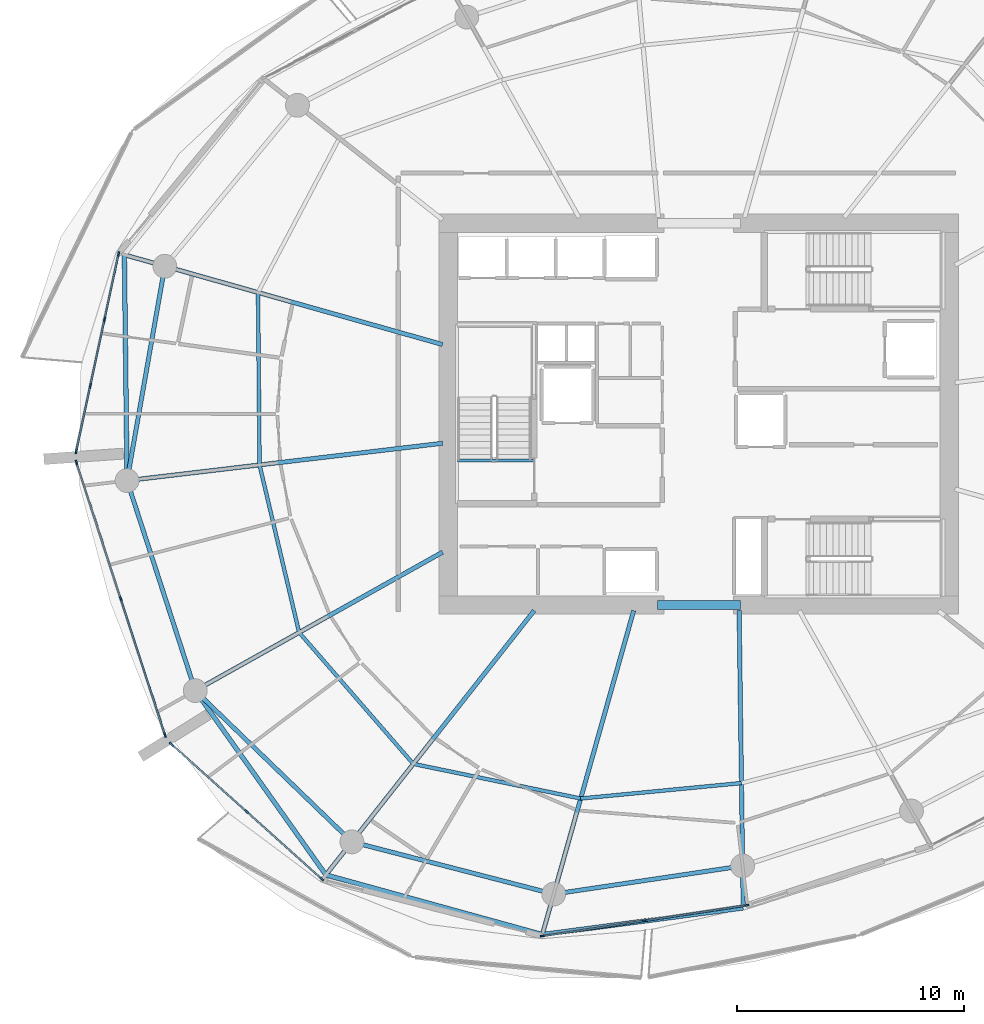
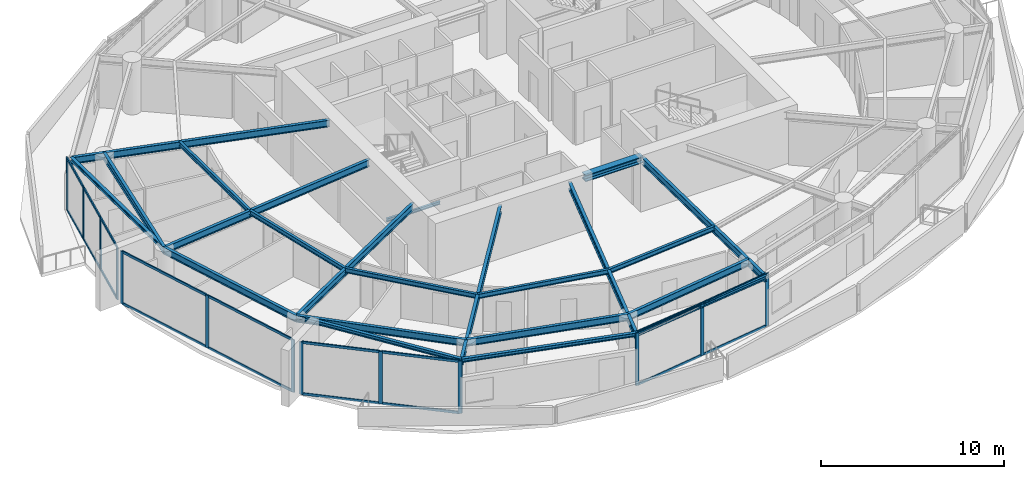
# One storey, part 5 of 20: 31 members, 22 beams, 4 elements without a shape of their own.
"""IFC4 building model written with IfcOpenShell, lengths in metres."""

from ifc_helpers import new_model, si_unit, direction, frame, origin, origin_2d, place, context, subcontext, project, spatial, rectangle, i_section, extrude, material, layer, layer_set, material_profile, profile_set, type_object, element, aggregate, save


model = new_model("IFC4")

# Units and contexts
model_context = context("Model", 3, precision=1e-05, world=origin(), true_north=direction((0.0, 1.0)))
body_context = subcontext(model_context, "Body", "Model", "MODEL_VIEW")
ifc_project = project(units=[si_unit("LENGTHUNIT", "METRE"), si_unit("AREAUNIT", "SQUARE_METRE"), si_unit("VOLUMEUNIT", "CUBIC_METRE"), si_unit("PLANEANGLEUNIT", "RADIAN"), si_unit("MASSUNIT", "GRAM", prefix="KILO")], contexts=[model_context])

# Site, building, storey
site_placement = place(None, origin())
site = spatial("IfcSite", under=ifc_project, at=site_placement, CompositionType="ELEMENT")
building_placement = place(site_placement, origin())
building = spatial("IfcBuilding", under=site, at=building_placement, Name="Kazma Halo Residences", CompositionType="ELEMENT")
storey_placement = place(building_placement, frame((0.0, 0.0, 135.300048828125)))
storey = spatial("IfcBuildingStorey", under=building, at=storey_placement, Name="L33", CompositionType="ELEMENT", Elevation=135.300048828125)

# Beams
ifc_material_1 = material(Name="Steel S355", Category="steel")
ifc_material_profile_1 = material_profile(ifc_material_1, i_section(OverallWidth=0.201904296875, OverallDepth=0.2470703125, WebThickness=0.00732421875, FlangeThickness=0.010986328125, FilletRadius=0.011962890625, at=origin_2d()), Name="W250x49.1")
ifc_profile_set_1 = profile_set([ifc_material_profile_1], Name="Steel S355")
beam_type_1 = type_object("IfcBeamType", Name="BM-BAL-CANT", PredefinedType="BEAM", material=ifc_profile_set_1)
beam_1_placement = place(storey_placement, frame((23.149658203125, 49.008544921875, 3.37646484375), z_axis=(0.011793371143, -0.99993045578, 0.0), x_axis=(0.99993045578, 0.011793371143, 0.0)))
element("IfcBeam", 1, at=beam_1_placement, inside=storey, type_object=beam_type_1, Name="L33 wave-balcony tie beam 07", PredefinedType="BEAM", context=body_context, shape_type="SweptSolid", body=[
    extrude(i_section(OverallWidth=0.201904296875, OverallDepth=0.2470703125, WebThickness=0.00732421875, FlangeThickness=0.010986328125, FilletRadius=0.011962890625, at=origin_2d()), origin(), (0.0, 0.0, 1.0), 9.936767578125),
])
beam_2_placement = place(storey_placement, frame((26.269775390625, 29.83056640625, 3.37646484375), z_axis=(0.578203432081, -0.81589263456, 0.0), x_axis=(0.81589263456, 0.578203432081, 0.0)))
element("IfcBeam", 2, at=beam_2_placement, inside=storey, type_object=beam_type_1, Name="L33 wave-balcony lead tie beam 09", PredefinedType="BEAM", context=body_context, shape_type="SweptSolid", body=[
    extrude(i_section(OverallWidth=0.201904296875, OverallDepth=0.2470703125, WebThickness=0.00732421875, FlangeThickness=0.010986328125, FilletRadius=0.011962890625, at=origin_2d()), origin(), (0.0, 0.0, 1.0), 9.9365234375),
])
beam_3_placement = place(storey_placement, frame((32.01513671875, 21.723388671875, 3.37646484375), z_axis=(0.964045237638, -0.265738179019, 0.0), x_axis=(0.265738179019, 0.964045237638, 0.0)))
element("IfcBeam", 3, at=beam_3_placement, inside=storey, type_object=beam_type_1, Name="L33 wave-balcony tie beam 10", PredefinedType="BEAM", context=body_context, shape_type="SweptSolid", body=[
    extrude(i_section(OverallWidth=0.201904296875, OverallDepth=0.2470703125, WebThickness=0.00732421875, FlangeThickness=0.010986328125, FilletRadius=0.011962890625, at=origin_2d()), origin(), (0.0, 0.0, 1.0), 9.880859375),
])
beam_4_placement = place(storey_placement, frame((41.540771484375, 19.09765625, 3.37646484375), z_axis=(0.991326402839, 0.13142284061, 0.0), x_axis=(-0.13142284061, 0.991326402839, 0.0)))
element("IfcBeam", 4, at=beam_4_placement, inside=storey, type_object=beam_type_1, Name="L33 wave-balcony tie beam 11", PredefinedType="BEAM", context=body_context, shape_type="SweptSolid", body=[
    extrude(i_section(OverallWidth=0.201904296875, OverallDepth=0.2470703125, WebThickness=0.00732421875, FlangeThickness=0.010986328125, FilletRadius=0.011962890625, at=origin_2d()), origin(), (0.0, 0.0, 1.0), 8.9150390625),
])
ifc_material_profile_2 = material_profile(ifc_material_1, i_section(OverallWidth=0.408935546875, OverallDepth=0.425048828125, WebThickness=0.03271484375, FlangeThickness=0.052490234375, FilletRadius=0.02001953125, at=origin_2d()), Name="W360x421")
ifc_profile_set_2 = profile_set([ifc_material_profile_2], Name="Steel S355")
beam_type_2 = type_object("IfcBeamType", Name="BM-CORE-W360H", PredefinedType="BEAM", material=ifc_profile_set_2)
beam_5_placement = place(storey_placement, frame((46.60009765625, 33.60009765625, 3.287353515625), z_axis=(1.0, 0.0, 0.0), x_axis=(0.0, 1.0, 0.0)))
element("IfcBeam", 5, at=beam_5_placement, inside=storey, type_object=beam_type_2, Name="L33 core coupling beam S", PredefinedType="BEAM", context=body_context, shape_type="SweptSolid", body=[
    extrude(i_section(OverallWidth=0.408935546875, OverallDepth=0.425048828125, WebThickness=0.03271484375, FlangeThickness=0.052490234375, FilletRadius=0.02001953125, at=origin_2d()), origin(), (0.0, 0.0, 1.0), 3.64990234375),
])
ifc_material_profile_3 = material_profile(ifc_material_1, i_section(OverallWidth=0.18994140625, OverallDepth=0.45703125, WebThickness=0.009033203125, FlangeThickness=0.014404296875, FilletRadius=0.01611328125, at=origin_2d()), Name="W460x74")
ifc_profile_set_3 = profile_set([ifc_material_profile_3], Name="Steel S355")
beam_type_3 = type_object("IfcBeamType", Name="BM-RAD-W460", PredefinedType="BEAM", material=ifc_profile_set_3)
beam_6_placement = place(storey_placement, frame((37.14990234375, 45.06005859375, 3.271484375), z_axis=(-0.962455072712, 0.271441030447, 0.0), x_axis=(-0.271441030447, -0.962455072712, 0.0)))
element("IfcBeam", 6, at=beam_6_placement, inside=storey, type_object=beam_type_3, Name="L33 radial floor beam 07", PredefinedType="BEAM", context=body_context, shape_type="SweptSolid", body=[
    extrude(i_section(OverallWidth=0.18994140625, OverallDepth=0.45703125, WebThickness=0.009033203125, FlangeThickness=0.014404296875, FilletRadius=0.01611328125, at=origin_2d()), origin(), (0.0, 0.0, 1.0), 14.54638671875),
])
beam_7_placement = place(storey_placement, frame((37.14990234375, 40.7158203125, 3.271484375), z_axis=(-0.993067267044, -0.117547450531, 0.0), x_axis=(0.117547450531, -0.993067267044, 0.0)))
element("IfcBeam", 7, at=beam_7_placement, inside=storey, type_object=beam_type_3, Name="L33 radial floor beam 08", PredefinedType="BEAM", context=body_context, shape_type="SweptSolid", body=[
    extrude(i_section(OverallWidth=0.18994140625, OverallDepth=0.45703125, WebThickness=0.009033203125, FlangeThickness=0.014404296875, FilletRadius=0.01611328125, at=origin_2d()), origin(), (0.0, 0.0, 1.0), 13.97998046875),
])
beam_8_placement = place(storey_placement, frame((37.14990234375, 35.923583984375, 3.271484375), z_axis=(-0.87250100809, -0.488612311431, 0.0), x_axis=(0.488612311431, -0.87250100809, 0.0)))
element("IfcBeam", 8, at=beam_8_placement, inside=storey, type_object=beam_type_3, Name="L33 radial floor beam 09", PredefinedType="BEAM", context=body_context, shape_type="SweptSolid", body=[
    extrude(i_section(OverallWidth=0.18994140625, OverallDepth=0.45703125, WebThickness=0.009033203125, FlangeThickness=0.014404296875, FilletRadius=0.01611328125, at=origin_2d()), origin(), (0.0, 0.0, 1.0), 12.469970703125),
])
beam_9_placement = place(storey_placement, frame((41.180908203125, 33.35009765625, 3.271484375), z_axis=(-0.619094498239, -0.785316498139, 0.0), x_axis=(0.785316498139, -0.619094498239, 0.0)))
element("IfcBeam", 9, at=beam_9_placement, inside=storey, type_object=beam_type_3, Name="L33 radial floor beam 10", PredefinedType="BEAM", context=body_context, shape_type="SweptSolid", body=[
    extrude(i_section(OverallWidth=0.18994140625, OverallDepth=0.45703125, WebThickness=0.009033203125, FlangeThickness=0.014404296875, FilletRadius=0.01611328125, at=origin_2d()), origin(), (0.0, 0.0, 1.0), 14.80517578125),
])
beam_10_placement = place(storey_placement, frame((45.560302734375, 33.35009765625, 3.271484375), z_axis=(-0.271435886816, -0.962456523355, 0.0), x_axis=(0.962456523355, -0.271435886816, 0.0)))
element("IfcBeam", 10, at=beam_10_placement, inside=storey, type_object=beam_type_3, Name="L33 radial floor beam 11", PredefinedType="BEAM", context=body_context, shape_type="SweptSolid", body=[
    extrude(i_section(OverallWidth=0.18994140625, OverallDepth=0.45703125, WebThickness=0.009033203125, FlangeThickness=0.014404296875, FilletRadius=0.01611328125, at=origin_2d()), origin(), (0.0, 0.0, 1.0), 14.808349609375),
])
beam_11_placement = place(storey_placement, frame((50.199951171875, 33.35009765625, 3.271484375), z_axis=(0.013642135434, -0.99990694174, 0.0), x_axis=(0.99990694174, 0.013642135434, 0.0)))
element("IfcBeam", 11, at=beam_11_placement, inside=storey, type_object=beam_type_3, Name="L33 radial floor beam 12", PredefinedType="BEAM", context=body_context, shape_type="SweptSolid", body=[
    extrude(i_section(OverallWidth=0.18994140625, OverallDepth=0.45703125, WebThickness=0.009033203125, FlangeThickness=0.014404296875, FilletRadius=0.01611328125, at=origin_2d()), origin(), (0.0, 0.0, 1.0), 13.08203125),
])
ifc_material_profile_4 = material_profile(ifc_material_1, i_section(OverallWidth=0.1650390625, OverallDepth=0.31005859375, WebThickness=0.005859375, FlangeThickness=0.009765625, FilletRadius=0.011962890625, at=origin_2d()), Name="W310x38.7")
ifc_profile_set_4 = profile_set([ifc_material_profile_4], Name="Steel S355")
beam_type_4 = type_object("IfcBeamType", Name="BM-SEC-W310B", PredefinedType="JOIST", material=ifc_profile_set_4)
beam_12_placement = place(storey_placement, frame((29.02978515625, 47.35009765625, 3.344970703125), z_axis=(0.008944876706, -0.99995999379, 0.0), x_axis=(0.99995999379, 0.008944876706, 0.0)))
element("IfcBeam", 12, at=beam_12_placement, inside=storey, type_object=beam_type_4, Name="L33 circumferential floor joist 07", PredefinedType="JOIST", context=body_context, shape_type="SweptSolid", body=[
    extrude(i_section(OverallWidth=0.1650390625, OverallDepth=0.31005859375, WebThickness=0.005859375, FlangeThickness=0.009765625, FilletRadius=0.011962890625, at=origin_2d()), origin(), (0.0, 0.0, 1.0), 7.587646484375),
])
beam_13_placement = place(storey_placement, frame((29.09765625, 39.7626953125, 3.344970703125), z_axis=(0.229897820601, -0.973214771817, 0.0), x_axis=(0.973214771817, 0.229897820601, 0.0)))
element("IfcBeam", 13, at=beam_13_placement, inside=storey, type_object=beam_type_4, Name="L33 circumferential floor joist 08", PredefinedType="JOIST", context=body_context, shape_type="SweptSolid", body=[
    extrude(i_section(OverallWidth=0.1650390625, OverallDepth=0.31005859375, WebThickness=0.005859375, FlangeThickness=0.009765625, FilletRadius=0.011962890625, at=origin_2d()), origin(), (0.0, 0.0, 1.0), 7.575927734375),
])
beam_14_placement = place(storey_placement, frame((30.83935546875, 32.3896484375, 3.344970703125), z_axis=(0.655935687589, -0.754816781575, 0.0), x_axis=(0.754816781575, 0.655935687589, 0.0)))
element("IfcBeam", 14, at=beam_14_placement, inside=storey, type_object=beam_type_4, Name="L33 circumferential floor joist 09", PredefinedType="JOIST", context=body_context, shape_type="SweptSolid", body=[
    extrude(i_section(OverallWidth=0.1650390625, OverallDepth=0.31005859375, WebThickness=0.005859375, FlangeThickness=0.009765625, FilletRadius=0.011962890625, at=origin_2d()), origin(), (0.0, 0.0, 1.0), 7.661376953125),
])
beam_15_placement = place(storey_placement, frame((35.86474609375, 26.606689453125, 3.344970703125), z_axis=(0.979272189631, -0.202548706773, 0.0), x_axis=(0.202548706773, 0.979272189631, 0.0)))
element("IfcBeam", 15, at=beam_15_placement, inside=storey, type_object=beam_type_4, Name="L33 circumferential floor joist 10", PredefinedType="JOIST", context=body_context, shape_type="SweptSolid", body=[
    extrude(i_section(OverallWidth=0.1650390625, OverallDepth=0.31005859375, WebThickness=0.005859375, FlangeThickness=0.009765625, FilletRadius=0.011962890625, at=origin_2d()), origin(), (0.0, 0.0, 1.0), 7.52001953125),
])
beam_16_placement = place(storey_placement, frame((43.22900390625, 25.08349609375, 3.344970703125), z_axis=(0.995416389983, 0.095635822539, 0.0), x_axis=(-0.095635822539, 0.995416389983, 0.0)))
element("IfcBeam", 16, at=beam_16_placement, inside=storey, type_object=beam_type_4, Name="L33 circumferential floor joist 11", PredefinedType="JOIST", context=body_context, shape_type="SweptSolid", body=[
    extrude(i_section(OverallWidth=0.1650390625, OverallDepth=0.31005859375, WebThickness=0.005859375, FlangeThickness=0.009765625, FilletRadius=0.011962890625, at=origin_2d()), origin(), (0.0, 0.0, 1.0), 7.10693359375),
])
ifc_material_profile_5 = material_profile(ifc_material_1, i_section(OverallWidth=0.18994140625, OverallDepth=0.45703125, WebThickness=0.009033203125, FlangeThickness=0.014404296875, FilletRadius=0.01611328125, at=origin_2d()), Name="W460x74")
ifc_profile_set_5 = profile_set([ifc_material_profile_5], Name="Steel S355")
beam_type_5 = type_object("IfcBeamType", Name="BM-SPN-W460", PredefinedType="BEAM", material=ifc_profile_set_5)
beam_17_placement = place(storey_placement, frame((24.93017578125, 48.50634765625, 3.271484375), z_axis=(-0.173637033425, -0.984809717978, 0.0), x_axis=(0.984809717978, -0.173637033425, 0.0)))
element("IfcBeam", 17, at=beam_17_placement, inside=storey, type_object=beam_type_5, Name="L33 perimeter ring beam 07", PredefinedType="BEAM", context=body_context, shape_type="SweptSolid", body=[
    extrude(i_section(OverallWidth=0.18994140625, OverallDepth=0.45703125, WebThickness=0.009033203125, FlangeThickness=0.014404296875, FilletRadius=0.01611328125, at=origin_2d()), origin(), (0.0, 0.0, 1.0), 9.579345703125),
])
beam_18_placement = place(storey_placement, frame((23.266845703125, 39.072509765625, 3.271484375), z_axis=(0.309020741629, -0.95105529873, 0.0), x_axis=(0.95105529873, 0.309020741629, 0.0)))
element("IfcBeam", 18, at=beam_18_placement, inside=storey, type_object=beam_type_5, Name="L33 perimeter ring beam 08", PredefinedType="BEAM", context=body_context, shape_type="SweptSolid", body=[
    extrude(i_section(OverallWidth=0.18994140625, OverallDepth=0.45703125, WebThickness=0.009033203125, FlangeThickness=0.014404296875, FilletRadius=0.01611328125, at=origin_2d()), origin(), (0.0, 0.0, 1.0), 9.717529296875),
])
beam_19_placement = place(storey_placement, frame((26.269775390625, 29.83056640625, 3.271484375), z_axis=(0.719334705845, -0.694663645923, 0.0), x_axis=(0.694663645923, 0.719334705845, 0.0)))
element("IfcBeam", 19, at=beam_19_placement, inside=storey, type_object=beam_type_5, Name="L33 perimeter ring beam 09", PredefinedType="BEAM", context=body_context, shape_type="SweptSolid", body=[
    extrude(i_section(OverallWidth=0.18994140625, OverallDepth=0.45703125, WebThickness=0.009033203125, FlangeThickness=0.014404296875, FilletRadius=0.01611328125, at=origin_2d()), origin(), (0.0, 0.0, 1.0), 9.5791015625),
])
beam_20_placement = place(storey_placement, frame((33.160400390625, 23.17626953125, 3.271484375), z_axis=(0.968123664213, -0.250472694699, 0.0), x_axis=(0.250472694699, 0.968123664213, 0.0)))
element("IfcBeam", 20, at=beam_20_placement, inside=storey, type_object=beam_type_5, Name="L33 perimeter ring beam 10", PredefinedType="BEAM", context=body_context, shape_type="SweptSolid", body=[
    extrude(i_section(OverallWidth=0.18994140625, OverallDepth=0.45703125, WebThickness=0.009033203125, FlangeThickness=0.014404296875, FilletRadius=0.01611328125, at=origin_2d()), origin(), (0.0, 0.0, 1.0), 9.175048828125),
])
beam_21_placement = place(storey_placement, frame((42.04296875, 20.878173828125, 3.271484375), z_axis=(0.989037147603, 0.147666924735, 0.0), x_axis=(-0.147666924735, 0.989037147603, 0.0)))
element("IfcBeam", 21, at=beam_21_placement, inside=storey, type_object=beam_type_5, Name="L33 perimeter ring beam 11", PredefinedType="BEAM", context=body_context, shape_type="SweptSolid", body=[
    extrude(i_section(OverallWidth=0.18994140625, OverallDepth=0.45703125, WebThickness=0.009033203125, FlangeThickness=0.014404296875, FilletRadius=0.01611328125, at=origin_2d()), origin(), (0.0, 0.0, 1.0), 8.402099609375),
])
ifc_material_profile_6 = material_profile(ifc_material_1, i_section(OverallWidth=0.133056640625, OverallDepth=0.20703125, WebThickness=0.005859375, FlangeThickness=0.00830078125, FilletRadius=0.010009765625, at=origin_2d()), Name="W200x26.6")
ifc_profile_set_6 = profile_set([ifc_material_profile_6], Name="Steel S355")
beam_type_6 = type_object("IfcBeamType", Name="BM-TRIM-W200", PredefinedType="BEAM", material=ifc_profile_set_6)
beam_22_placement = place(storey_placement, frame((37.800048828125, 39.949951171875, -0.360107421875), z_axis=(1.0, 0.0, 0.0), x_axis=(0.0, 1.0, 0.0)))
element("IfcBeam", 22, at=beam_22_placement, inside=storey, type_object=beam_type_6, Name="L33 ST-01 floor landing support beam", PredefinedType="BEAM", context=body_context, shape_type="SweptSolid", body=[
    extrude(i_section(OverallWidth=0.133056640625, OverallDepth=0.20703125, WebThickness=0.005859375, FlangeThickness=0.00830078125, FilletRadius=0.010009765625, at=origin_2d()), origin(), (0.0, 0.0, 1.0), 3.3798828125),
])

# Curtain wall, members
ifc_material_2 = material(Name="Aluminium AW-6063 T6 and Triple-Silver Low-E Glass", Category="aluminium")
ifc_layer = layer(ifc_material_2, 0.219970703125)
ifc_layer_set = layer_set([ifc_layer], Name="Aluminium AW-6063 T6 and Triple-Silver Low-E Glass")
curtain_wall_type = type_object("IfcCurtainWallType", Name="CW-SYS-4", PredefinedType="NOTDEFINED", material=ifc_layer_set)
curtain_wall_1_placement = place(storey_placement, origin())
curtain_wall_1 = element("IfcCurtainWall", 23, at=curtain_wall_1_placement, inside=storey, type_object=curtain_wall_type, Name="L33 unitised curtain wall B07", PredefinedType="NOTDEFINED")
ifc_material_3 = material(Name="Aluminium AW-6063 T6", Category="aluminium")
ifc_material_profile_7 = material_profile(ifc_material_3, rectangle(XDim=0.074951171875, YDim=0.219970703125, at=origin_2d()), Name="CWM-75x220")
ifc_profile_set_7 = profile_set([ifc_material_profile_7], Name="Aluminium AW-6063 T6")
member_type_1 = type_object("IfcMemberType", Name="CW-SYS-4-MUL", PredefinedType="MULLION", material=ifc_profile_set_7)
member_1_placement = place(storey_placement, frame((22.894775390625, 49.04150390625, 0.0), z_axis=(0.0, 0.0, 1.0), x_axis=(0.977764957684, -0.209703809037, 0.0)))
member_1 = element("IfcMember", 24, at=member_1_placement, type_object=member_type_1, Name="CWS-4 mullion 1", PredefinedType="MULLION", context=body_context, shape_type="SweptSolid", body=[
    extrude(rectangle(XDim=0.074951171875, YDim=0.219970703125, at=origin_2d()), origin(), (0.0, 0.0, 1.0), 3.5),
])
member_2_placement = place(storey_placement, frame((22.27685546875, 46.160888671875, 0.0), z_axis=(0.0, 0.0, 1.0), x_axis=(0.977764957684, -0.209703809037, 0.0)))
member_2 = element("IfcMember", 25, at=member_2_placement, type_object=member_type_1, Name="CWS-4 mullion 2", PredefinedType="MULLION", context=body_context, shape_type="SweptSolid", body=[
    extrude(rectangle(XDim=0.074951171875, YDim=0.219970703125, at=origin_2d()), origin(), (0.0, 0.0, 1.0), 3.5),
])
member_3_placement = place(storey_placement, frame((21.6513671875, 43.24365234375, 0.0), z_axis=(0.0, 0.0, 1.0), x_axis=(0.977764957684, -0.209703809037, 0.0)))
member_3 = element("IfcMember", 26, at=member_3_placement, type_object=member_type_1, Name="CWS-4 mullion 3", PredefinedType="MULLION", context=body_context, shape_type="SweptSolid", body=[
    extrude(rectangle(XDim=0.074951171875, YDim=0.219970703125, at=origin_2d()), origin(), (0.0, 0.0, 1.0), 3.5),
])
member_4_placement = place(storey_placement, frame((21.033447265625, 40.36328125, 0.0), z_axis=(0.0, 0.0, 1.0), x_axis=(0.977764957684, -0.209703809037, 0.0)))
member_4 = element("IfcMember", 27, at=member_4_placement, type_object=member_type_1, Name="CWS-4 mullion 4", PredefinedType="MULLION", context=body_context, shape_type="SweptSolid", body=[
    extrude(rectangle(XDim=0.074951171875, YDim=0.219970703125, at=origin_2d()), origin(), (0.0, 0.0, 1.0), 3.5),
])

curtain_wall_2_placement = place(storey_placement, origin())
curtain_wall_2 = element("IfcCurtainWall", 28, at=curtain_wall_2_placement, inside=storey, type_object=curtain_wall_type, Name="L33 unitised curtain wall B08", PredefinedType="NOTDEFINED")
member_5_placement = place(storey_placement, frame((21.044189453125, 39.86572265625, 0.0), z_axis=(0.0, 0.0, 1.0), x_axis=(0.951057547609, 0.3090138203, 0.0)))
member_5 = element("IfcMember", 29, at=member_5_placement, type_object=member_type_1, Name="CWS-4 mullion 1", PredefinedType="MULLION", context=body_context, shape_type="SweptSolid", body=[
    extrude(rectangle(XDim=0.074951171875, YDim=0.219970703125, at=origin_2d()), origin(), (0.0, 0.0, 1.0), 3.5),
])
member_6_placement = place(storey_placement, frame((22.990966796875, 33.8740234375, 0.0), z_axis=(0.0, 0.0, 1.0), x_axis=(0.951057547609, 0.3090138203, 0.0)))
member_6 = element("IfcMember", 30, at=member_6_placement, type_object=member_type_1, Name="CWS-4 mullion 2", PredefinedType="MULLION", context=body_context, shape_type="SweptSolid", body=[
    extrude(rectangle(XDim=0.074951171875, YDim=0.219970703125, at=origin_2d()), origin(), (0.0, 0.0, 1.0), 3.5),
])
member_7_placement = place(storey_placement, frame((24.937744140625, 27.882568359375, 0.0), z_axis=(0.0, 0.0, 1.0), x_axis=(0.951057547609, 0.3090138203, 0.0)))
member_7 = element("IfcMember", 31, at=member_7_placement, type_object=member_type_1, Name="CWS-4 mullion 3", PredefinedType="MULLION", context=body_context, shape_type="SweptSolid", body=[
    extrude(rectangle(XDim=0.074951171875, YDim=0.219970703125, at=origin_2d()), origin(), (0.0, 0.0, 1.0), 3.5),
])

curtain_wall_3_placement = place(storey_placement, origin())
curtain_wall_3 = element("IfcCurtainWall", 32, at=curtain_wall_3_placement, inside=storey, type_object=curtain_wall_type, Name="L33 unitised curtain wall B09", PredefinedType="NOTDEFINED")
member_8_placement = place(storey_placement, frame((25.221435546875, 27.4736328125, 0.0), z_axis=(0.0, 0.0, 1.0), x_axis=(0.667770096247, 0.744367582957, 0.0)))
member_8 = element("IfcMember", 33, at=member_8_placement, type_object=member_type_1, Name="CWS-4 mullion 1", PredefinedType="MULLION", context=body_context, shape_type="SweptSolid", body=[
    extrude(rectangle(XDim=0.074951171875, YDim=0.219970703125, at=origin_2d()), origin(), (0.0, 0.0, 1.0), 3.5),
])
member_9_placement = place(storey_placement, frame((28.52490234375, 24.51025390625, 0.0), z_axis=(0.0, 0.0, 1.0), x_axis=(0.667770096247, 0.744367582957, 0.0)))
member_9 = element("IfcMember", 34, at=member_9_placement, type_object=member_type_1, Name="CWS-4 mullion 2", PredefinedType="MULLION", context=body_context, shape_type="SweptSolid", body=[
    extrude(rectangle(XDim=0.074951171875, YDim=0.219970703125, at=origin_2d()), origin(), (0.0, 0.0, 1.0), 3.5),
])
member_10_placement = place(storey_placement, frame((31.828369140625, 21.546630859375, 0.0), z_axis=(0.0, 0.0, 1.0), x_axis=(0.667770096247, 0.744367582957, 0.0)))
member_10 = element("IfcMember", 35, at=member_10_placement, type_object=member_type_1, Name="CWS-4 mullion 3", PredefinedType="MULLION", context=body_context, shape_type="SweptSolid", body=[
    extrude(rectangle(XDim=0.074951171875, YDim=0.219970703125, at=origin_2d()), origin(), (0.0, 0.0, 1.0), 3.5),
])

curtain_wall_4_placement = place(storey_placement, origin())
curtain_wall_4 = element("IfcCurtainWall", 36, at=curtain_wall_4_placement, inside=storey, type_object=curtain_wall_type, Name="L33 unitised curtain wall B11", PredefinedType="NOTDEFINED")
member_11_placement = place(storey_placement, frame((41.559326171875, 19.037109375, 0.0), z_axis=(0.0, 0.0, 1.0), x_axis=(-0.148821022686, 0.988864148004, 0.0)))
member_11 = element("IfcMember", 37, at=member_11_placement, type_object=member_type_1, Name="CWS-4 mullion 1", PredefinedType="MULLION", context=body_context, shape_type="SweptSolid", body=[
    extrude(rectangle(XDim=0.074951171875, YDim=0.219970703125, at=origin_2d()), origin(), (0.0, 0.0, 1.0), 3.5),
])
member_12_placement = place(storey_placement, frame((46.039794921875, 19.71142578125, 0.0), z_axis=(0.0, 0.0, 1.0), x_axis=(-0.148821022686, 0.988864148004, 0.0)))
member_12 = element("IfcMember", 38, at=member_12_placement, type_object=member_type_1, Name="CWS-4 mullion 2", PredefinedType="MULLION", context=body_context, shape_type="SweptSolid", body=[
    extrude(rectangle(XDim=0.074951171875, YDim=0.219970703125, at=origin_2d()), origin(), (0.0, 0.0, 1.0), 3.5),
])
member_13_placement = place(storey_placement, frame((50.5205078125, 20.3857421875, 0.0), z_axis=(0.0, 0.0, 1.0), x_axis=(-0.148821022686, 0.988864148004, 0.0)))
member_13 = element("IfcMember", 39, at=member_13_placement, type_object=member_type_1, Name="CWS-4 mullion 3", PredefinedType="MULLION", context=body_context, shape_type="SweptSolid", body=[
    extrude(rectangle(XDim=0.074951171875, YDim=0.219970703125, at=origin_2d()), origin(), (0.0, 0.0, 1.0), 3.5),
])

# Member
ifc_material_profile_8 = material_profile(ifc_material_3, rectangle(XDim=0.074951171875, YDim=0.1650390625, at=origin_2d()), Name="CWT-75x165")
ifc_profile_set_8 = profile_set([ifc_material_profile_8], Name="Aluminium AW-6063 T6")
member_type_2 = type_object("IfcMemberType", Name="CW-SYS-4-TRN", PredefinedType="USERDEFINED", material=ifc_profile_set_8)
member_14_placement = place(storey_placement, frame((22.886962890625, 49.0048828125, 0.037353515625), z_axis=(-0.209703309269, -0.977765064871, 0.0), x_axis=(0.977765064871, -0.209703309269, 0.0)))
member_14 = element("IfcMember", 40, at=member_14_placement, type_object=member_type_2, Name="CWS-4 transom 1.1", ObjectType="TRANSOM", PredefinedType="USERDEFINED", context=body_context, shape_type="SweptSolid", body=[
    extrude(rectangle(XDim=0.074951171875, YDim=0.1650390625, at=origin_2d()), origin(), (0.0, 0.0, 1.0), 2.870849609375),
])

member_15_placement = place(storey_placement, frame((22.886962890625, 49.0048828125, 3.46240234375), z_axis=(-0.209703309269, -0.977765064871, 0.0), x_axis=(0.977765064871, -0.209703309269, 0.0)))
member_15 = element("IfcMember", 41, at=member_15_placement, type_object=member_type_2, Name="CWS-4 transom 1.2", ObjectType="TRANSOM", PredefinedType="USERDEFINED", context=body_context, shape_type="SweptSolid", body=[
    extrude(rectangle(XDim=0.074951171875, YDim=0.1650390625, at=origin_2d()), origin(), (0.0, 0.0, 1.0), 2.870849609375),
])

member_16_placement = place(storey_placement, frame((22.26904296875, 46.124267578125, 0.037353515625), z_axis=(-0.209689601293, -0.977768004748, 0.0), x_axis=(0.977768004748, -0.209689601293, 0.0)))
member_16 = element("IfcMember", 42, at=member_16_placement, type_object=member_type_2, Name="CWS-4 transom 2.1", ObjectType="TRANSOM", PredefinedType="USERDEFINED", context=body_context, shape_type="SweptSolid", body=[
    extrude(rectangle(XDim=0.074951171875, YDim=0.1650390625, at=origin_2d()), origin(), (0.0, 0.0, 1.0), 2.908447265625),
])

member_17_placement = place(storey_placement, frame((22.26904296875, 46.124267578125, 3.46240234375), z_axis=(-0.209689601293, -0.977768004748, 0.0), x_axis=(0.977768004748, -0.209689601293, 0.0)))
member_17 = element("IfcMember", 43, at=member_17_placement, type_object=member_type_2, Name="CWS-4 transom 2.2", ObjectType="TRANSOM", PredefinedType="USERDEFINED", context=body_context, shape_type="SweptSolid", body=[
    extrude(rectangle(XDim=0.074951171875, YDim=0.1650390625, at=origin_2d()), origin(), (0.0, 0.0, 1.0), 2.908447265625),
])

member_18_placement = place(storey_placement, frame((21.643310546875, 43.20703125, 0.037353515625), z_axis=(-0.209703309269, -0.977765064871, 0.0), x_axis=(0.977765064871, -0.209703309269, 0.0)))
member_18 = element("IfcMember", 44, at=member_18_placement, type_object=member_type_2, Name="CWS-4 transom 3.1", ObjectType="TRANSOM", PredefinedType="USERDEFINED", context=body_context, shape_type="SweptSolid", body=[
    extrude(rectangle(XDim=0.074951171875, YDim=0.1650390625, at=origin_2d()), origin(), (0.0, 0.0, 1.0), 2.870849609375),
])

member_19_placement = place(storey_placement, frame((21.643310546875, 43.20703125, 3.46240234375), z_axis=(-0.209703309269, -0.977765064871, 0.0), x_axis=(0.977765064871, -0.209703309269, 0.0)))
member_19 = element("IfcMember", 45, at=member_19_placement, type_object=member_type_2, Name="CWS-4 transom 3.2", ObjectType="TRANSOM", PredefinedType="USERDEFINED", context=body_context, shape_type="SweptSolid", body=[
    extrude(rectangle(XDim=0.074951171875, YDim=0.1650390625, at=origin_2d()), origin(), (0.0, 0.0, 1.0), 2.870849609375),
])

aggregate(curtain_wall_1, [member_1, member_2, member_3, member_4, member_14, member_15, member_16, member_17, member_18, member_19])

member_20_placement = place(storey_placement, frame((21.0556640625, 39.830078125, 0.037353515625), z_axis=(0.309006258762, -0.95106000444, 0.0), x_axis=(0.95106000444, 0.309006258762, 0.0)))
member_20 = element("IfcMember", 46, at=member_20_placement, type_object=member_type_2, Name="CWS-4 transom 1.1", ObjectType="TRANSOM", PredefinedType="USERDEFINED", context=body_context, shape_type="SweptSolid", body=[
    extrude(rectangle(XDim=0.074951171875, YDim=0.1650390625, at=origin_2d()), origin(), (0.0, 0.0, 1.0), 6.22509765625),
])

member_21_placement = place(storey_placement, frame((21.0556640625, 39.830078125, 3.46240234375), z_axis=(0.309006258762, -0.95106000444, 0.0), x_axis=(0.95106000444, 0.309006258762, 0.0)))
member_21 = element("IfcMember", 47, at=member_21_placement, type_object=member_type_2, Name="CWS-4 transom 1.2", ObjectType="TRANSOM", PredefinedType="USERDEFINED", context=body_context, shape_type="SweptSolid", body=[
    extrude(rectangle(XDim=0.074951171875, YDim=0.1650390625, at=origin_2d()), origin(), (0.0, 0.0, 1.0), 6.22509765625),
])

member_22_placement = place(storey_placement, frame((23.00244140625, 33.83837890625, 0.037353515625), z_axis=(0.309017784977, -0.951056259413, 0.0), x_axis=(0.951056259413, 0.309017784977, 0.0)))
member_22 = element("IfcMember", 48, at=member_22_placement, type_object=member_type_2, Name="CWS-4 transom 2.1", ObjectType="TRANSOM", PredefinedType="USERDEFINED", context=body_context, shape_type="SweptSolid", body=[
    extrude(rectangle(XDim=0.074951171875, YDim=0.1650390625, at=origin_2d()), origin(), (0.0, 0.0, 1.0), 6.224853515625),
])

member_23_placement = place(storey_placement, frame((23.00244140625, 33.83837890625, 3.46240234375), z_axis=(0.309017784977, -0.951056259413, 0.0), x_axis=(0.951056259413, 0.309017784977, 0.0)))
member_23 = element("IfcMember", 49, at=member_23_placement, type_object=member_type_2, Name="CWS-4 transom 2.2", ObjectType="TRANSOM", PredefinedType="USERDEFINED", context=body_context, shape_type="SweptSolid", body=[
    extrude(rectangle(XDim=0.074951171875, YDim=0.1650390625, at=origin_2d()), origin(), (0.0, 0.0, 1.0), 6.224853515625),
])

aggregate(curtain_wall_2, [member_5, member_6, member_7, member_20, member_21, member_22, member_23])

member_24_placement = place(storey_placement, frame((25.24951171875, 27.44873046875, 0.037353515625), z_axis=(0.744344978888, -0.66779529229, 0.0), x_axis=(0.66779529229, 0.744344978888, 0.0)))
member_24 = element("IfcMember", 50, at=member_24_placement, type_object=member_type_2, Name="CWS-4 transom 1.1", ObjectType="TRANSOM", PredefinedType="USERDEFINED", context=body_context, shape_type="SweptSolid", body=[
    extrude(rectangle(XDim=0.074951171875, YDim=0.1650390625, at=origin_2d()), origin(), (0.0, 0.0, 1.0), 4.363037109375),
])

member_25_placement = place(storey_placement, frame((25.24951171875, 27.44873046875, 3.46240234375), z_axis=(0.744344978888, -0.66779529229, 0.0), x_axis=(0.66779529229, 0.744344978888, 0.0)))
member_25 = element("IfcMember", 51, at=member_25_placement, type_object=member_type_2, Name="CWS-4 transom 1.2", ObjectType="TRANSOM", PredefinedType="USERDEFINED", context=body_context, shape_type="SweptSolid", body=[
    extrude(rectangle(XDim=0.074951171875, YDim=0.1650390625, at=origin_2d()), origin(), (0.0, 0.0, 1.0), 4.363037109375),
])

member_26_placement = place(storey_placement, frame((28.552734375, 24.485107421875, 0.037353515625), z_axis=(0.744372794017, -0.667764287401, 0.0), x_axis=(0.667764287401, 0.744372794017, 0.0)))
member_26 = element("IfcMember", 52, at=member_26_placement, type_object=member_type_2, Name="CWS-4 transom 2.1", ObjectType="TRANSOM", PredefinedType="USERDEFINED", context=body_context, shape_type="SweptSolid", body=[
    extrude(rectangle(XDim=0.074951171875, YDim=0.1650390625, at=origin_2d()), origin(), (0.0, 0.0, 1.0), 4.36279296875),
])

member_27_placement = place(storey_placement, frame((28.552734375, 24.485107421875, 3.46240234375), z_axis=(0.744372794017, -0.667764287401, 0.0), x_axis=(0.667764287401, 0.744372794017, 0.0)))
member_27 = element("IfcMember", 53, at=member_27_placement, type_object=member_type_2, Name="CWS-4 transom 2.2", ObjectType="TRANSOM", PredefinedType="USERDEFINED", context=body_context, shape_type="SweptSolid", body=[
    extrude(rectangle(XDim=0.074951171875, YDim=0.1650390625, at=origin_2d()), origin(), (0.0, 0.0, 1.0), 4.36279296875),
])

aggregate(curtain_wall_3, [member_8, member_9, member_10, member_24, member_25, member_26, member_27])

member_28_placement = place(storey_placement, frame((41.596435546875, 19.042724609375, 0.037353515625), z_axis=(0.988866721231, 0.148803923478, 0.0), x_axis=(-0.148803923478, 0.988866721231, 0.0)))
member_28 = element("IfcMember", 54, at=member_28_placement, type_object=member_type_2, Name="CWS-4 transom 1.1", ObjectType="TRANSOM", PredefinedType="USERDEFINED", context=body_context, shape_type="SweptSolid", body=[
    extrude(rectangle(XDim=0.074951171875, YDim=0.1650390625, at=origin_2d()), origin(), (0.0, 0.0, 1.0), 4.4560546875),
])

member_29_placement = place(storey_placement, frame((41.596435546875, 19.042724609375, 3.46240234375), z_axis=(0.988866721231, 0.148803923478, 0.0), x_axis=(-0.148803923478, 0.988866721231, 0.0)))
member_29 = element("IfcMember", 55, at=member_29_placement, type_object=member_type_2, Name="CWS-4 transom 1.2", ObjectType="TRANSOM", PredefinedType="USERDEFINED", context=body_context, shape_type="SweptSolid", body=[
    extrude(rectangle(XDim=0.074951171875, YDim=0.1650390625, at=origin_2d()), origin(), (0.0, 0.0, 1.0), 4.4560546875),
])

member_30_placement = place(storey_placement, frame((46.076904296875, 19.717041015625, 0.037353515625), z_axis=(0.988866721231, 0.148803923478, 0.0), x_axis=(-0.148803923478, 0.988866721231, 0.0)))
member_30 = element("IfcMember", 56, at=member_30_placement, type_object=member_type_2, Name="CWS-4 transom 2.1", ObjectType="TRANSOM", PredefinedType="USERDEFINED", context=body_context, shape_type="SweptSolid", body=[
    extrude(rectangle(XDim=0.074951171875, YDim=0.1650390625, at=origin_2d()), origin(), (0.0, 0.0, 1.0), 4.4560546875),
])

member_31_placement = place(storey_placement, frame((46.076904296875, 19.717041015625, 3.46240234375), z_axis=(0.988866721231, 0.148803923478, 0.0), x_axis=(-0.148803923478, 0.988866721231, 0.0)))
member_31 = element("IfcMember", 57, at=member_31_placement, type_object=member_type_2, Name="CWS-4 transom 2.2", ObjectType="TRANSOM", PredefinedType="USERDEFINED", context=body_context, shape_type="SweptSolid", body=[
    extrude(rectangle(XDim=0.074951171875, YDim=0.1650390625, at=origin_2d()), origin(), (0.0, 0.0, 1.0), 4.4560546875),
])

aggregate(curtain_wall_4, [member_11, member_12, member_13, member_28, member_29, member_30, member_31])

save(model, "model.ifc")
